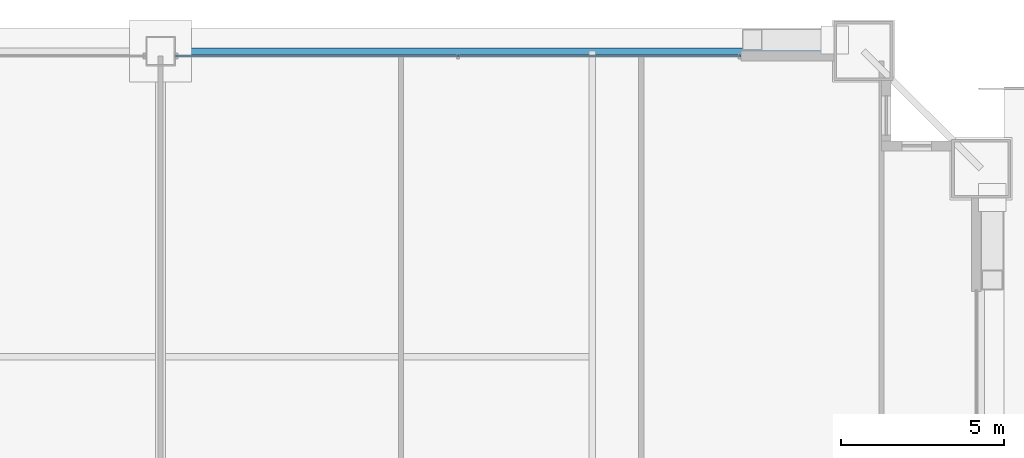
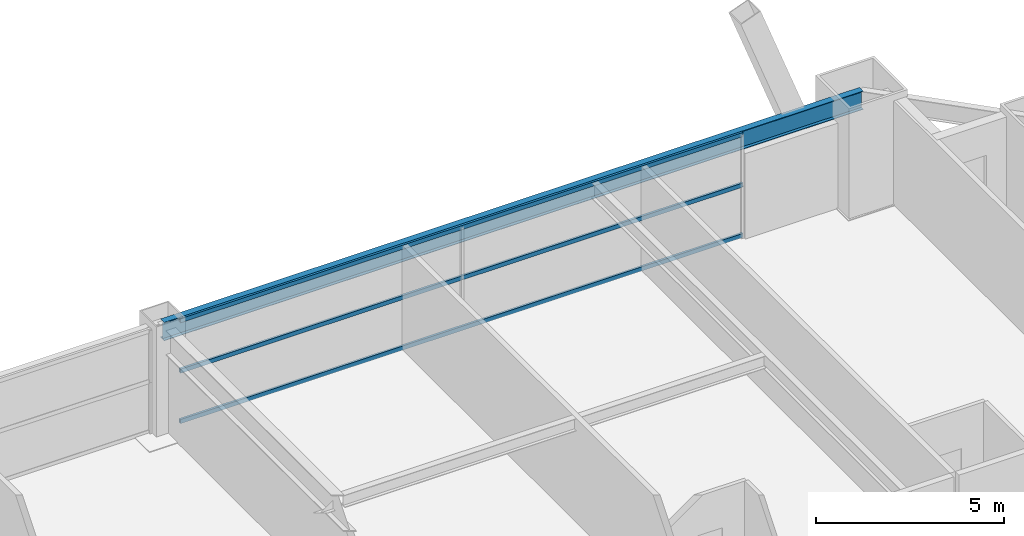
# One storey, part 35 of 45: 3 members, 1 beam, 1 element without a shape of its own.
"""IFC4 building model written with IfcOpenShell, lengths in metres."""

from ifc_helpers import new_model, si_unit, direction, frame, origin, origin_2d, place, context, subcontext, project, spatial, hollow_rectangle, i_section, extrude, source, transform, mapped, material, layer, layer_set, material_profile, profile_set, type_object, element, aggregate, save


model = new_model("IFC4")

# Units and contexts
model_context = context("Model", 3, precision=1e-05, world=origin(), true_north=direction((0.0, 1.0)))
body_context = subcontext(model_context, "Body", "Model", "MODEL_VIEW")
ifc_project = project(units=[si_unit("LENGTHUNIT", "METRE"), si_unit("AREAUNIT", "SQUARE_METRE"), si_unit("VOLUMEUNIT", "CUBIC_METRE"), si_unit("PLANEANGLEUNIT", "RADIAN"), si_unit("MASSUNIT", "GRAM", prefix="KILO"), si_unit("THERMODYNAMICTEMPERATUREUNIT", "KELVIN"), si_unit("POWERUNIT", "WATT")], contexts=[model_context])

# Site, building, storey
site_placement = place(None, origin())
site = spatial("IfcSite", under=ifc_project, at=site_placement, CompositionType="ELEMENT")
building_placement = place(site_placement, origin())
building = spatial("IfcBuilding", under=site, at=building_placement, Name="Yuzanri Waterfront Tower", CompositionType="ELEMENT")
storey_placement = place(building_placement, frame((0.0, 0.0, 30.60009765625)))
storey = spatial("IfcBuildingStorey", under=building, at=storey_placement, Name="L07", CompositionType="ELEMENT", Elevation=30.60009765625)

# Beam
ifc_material_1 = material(Name="Steel Q355B", Category="steel")
ifc_material_profile_1 = material_profile(ifc_material_1, i_section(OverallWidth=0.199951171875, OverallDepth=0.60009765625, WebThickness=0.010986328125, FlangeThickness=0.01708984375, at=origin_2d()), Name="HN 600x200x11x17")
ifc_profile_set_1 = profile_set([ifc_material_profile_1], Name="Steel Q355B")
beam_type = type_object("IfcBeamType", Name="Perimeter Spandrel Q355B HN 600x200", PredefinedType="SPANDREL", material=ifc_profile_set_1)
shared_shape_1 = source(origin(), body_context, "Body", "SweptSolid", [
    extrude(i_section(OverallWidth=0.199951171875, OverallDepth=0.60009765625, WebThickness=0.010986328125, FlangeThickness=0.01708984375, at=origin_2d()), origin(), (0.0, 0.0, 1.0), 21.5),
])
beam_placement = place(storey_placement, frame((58.5, 50.89990234375, 3.079833984375), z_axis=(-1.0, 0.0, 0.0), x_axis=(0.0, -1.0, 0.0)))
element("IfcBeam", 1, at=beam_placement, inside=storey, type_object=beam_type, Name="L07 Perimeter Spandrel N3-N2", PredefinedType="SPANDREL", context=body_context, shape_type="MappedRepresentation", body=[
    mapped(shared_shape_1, transform((0.0, 0.0, 0.0), scale=1.0)),
])

# Curtain wall, members
ifc_material_2 = material(Name="Anodized Architectural Bronze", Category="metal")
ifc_layer = layer(ifc_material_2, 0.159912109375)
ifc_layer_set = layer_set([ifc_layer], Name="Anodized Architectural Bronze")
curtain_wall_type = type_object("IfcCurtainWallType", Name="Anodized Bronze Hotel Lower-Tier Recessed Unitized Curtain Wall 8100", PredefinedType="NOTDEFINED", material=ifc_layer_set)
curtain_wall_placement = place(storey_placement, origin())
curtain_wall = element("IfcCurtainWall", 2, at=curtain_wall_placement, inside=storey, type_object=curtain_wall_type, Name="L07 Curtain Wall CW-L07-NR", PredefinedType="NOTDEFINED")
ifc_material_3 = material(Name="Anodized Architectural Bronze", Category="metal")
ifc_material_profile_2 = material_profile(ifc_material_3, hollow_rectangle(XDim=0.070068359375, YDim=0.135009765625, WallThickness=0.00341796875, at=origin_2d()), Name="CWT 70x135")
ifc_profile_set_2 = profile_set([ifc_material_profile_2], Name="Anodized Architectural Bronze")
member_type = type_object("IfcMemberType", Name="Anodized Bronze Standard Curtain-Wall Transom 70x135", PredefinedType="USERDEFINED", material=ifc_profile_set_2)
shared_shape_2 = source(origin(), body_context, "Body", "SweptSolid", [
    extrude(hollow_rectangle(XDim=0.070068359375, YDim=0.135009765625, WallThickness=0.00341796875, at=origin_2d()), origin(), (0.0, 0.0, 1.0), 17.300048828125),
])
member_1_placement = place(storey_placement, frame((37.449951171875, 50.75, 0.0498046875), z_axis=(1.0, 0.0, 0.0), x_axis=(0.0, 1.0, 0.0)))
member_1 = element("IfcMember", 3, at=member_1_placement, type_object=member_type, Name="CW-L07-NR Transom 1", ObjectType="TRANSOM", PredefinedType="USERDEFINED", context=body_context, shape_type="MappedRepresentation", body=[
    mapped(shared_shape_2, transform((0.0, 0.0, 0.0), scale=1.0)),
])
member_2_placement = place(storey_placement, frame((37.449951171875, 50.75, 1.68994140625), z_axis=(1.0, 0.0, 0.0), x_axis=(0.0, 1.0, 0.0)))
member_2 = element("IfcMember", 4, at=member_2_placement, type_object=member_type, Name="CW-L07-NR Transom 2", ObjectType="TRANSOM", PredefinedType="USERDEFINED", context=body_context, shape_type="MappedRepresentation", body=[
    mapped(shared_shape_2, transform((0.0, 0.0, 0.0), scale=1.0)),
])
member_3_placement = place(storey_placement, frame((37.449951171875, 50.75, 3.329833984375), z_axis=(1.0, 0.0, 0.0), x_axis=(0.0, 1.0, 0.0)))
member_3 = element("IfcMember", 5, at=member_3_placement, type_object=member_type, Name="CW-L07-NR Transom 3", ObjectType="TRANSOM", PredefinedType="USERDEFINED", context=body_context, shape_type="MappedRepresentation", body=[
    mapped(shared_shape_2, transform((0.0, 0.0, 0.0), scale=1.0)),
])
aggregate(curtain_wall, [member_1, member_2, member_3])

save(model, "model.ifc")
